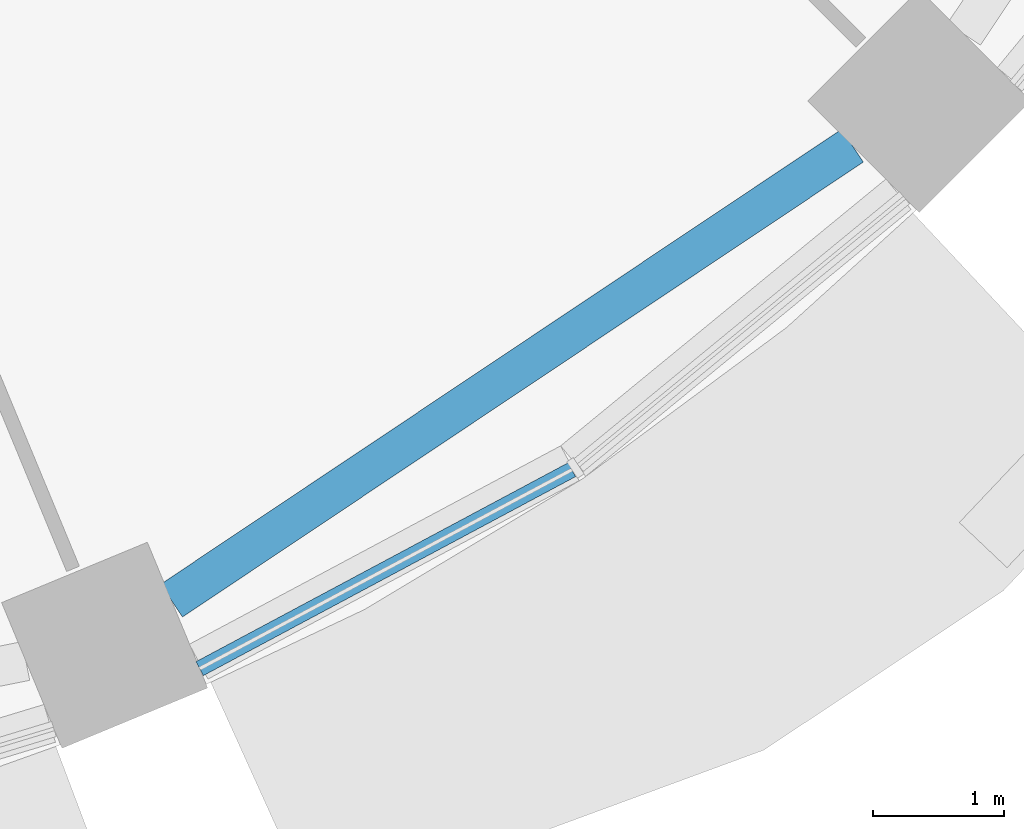
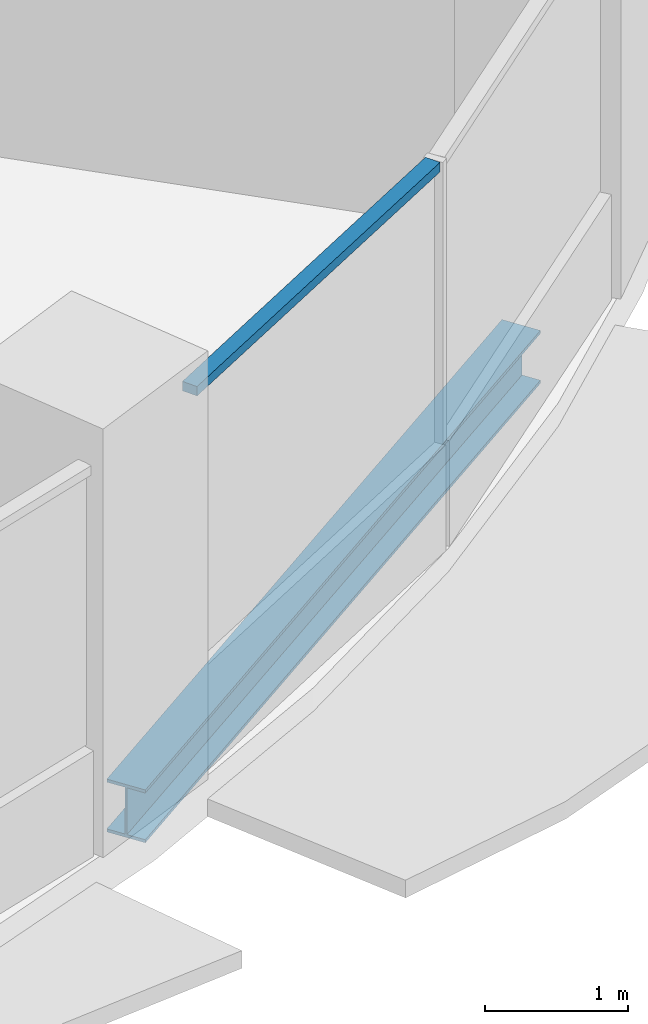
# One storey, part 3 of 15: 1 beam, 1 member, 1 element without a shape of its own.
"""IFC4 building model written with IfcOpenShell, lengths in metres."""

from ifc_helpers import new_model, si_unit, direction, frame, origin, origin_2d, place, context, subcontext, project, spatial, rectangle, i_section, extrude, material, material_profile, profile_set, type_object, element, aggregate, save


model = new_model("IFC4")

# Units and contexts
model_context = context("Model", 3, precision=1e-05, world=origin(), true_north=direction((0.0, 1.0)))
body_context = subcontext(model_context, "Body", "Model", "MODEL_VIEW")
ifc_project = project(units=[si_unit("LENGTHUNIT", "METRE"), si_unit("AREAUNIT", "SQUARE_METRE"), si_unit("VOLUMEUNIT", "CUBIC_METRE"), si_unit("PLANEANGLEUNIT", "RADIAN"), si_unit("MASSUNIT", "GRAM", prefix="KILO")], contexts=[model_context])

# Site, building, storey
site_placement = place(None, origin())
site = spatial("IfcSite", under=ifc_project, at=site_placement, CompositionType="ELEMENT")
building_placement = place(site_placement, origin())
building = spatial("IfcBuilding", under=site, at=building_placement, Name="Polderwave Tower", CompositionType="ELEMENT")
storey_placement = place(building_placement, frame((0.0, 0.0, 40.800048828125)))
storey = spatial("IfcBuildingStorey", under=building, at=storey_placement, Name="L10", CompositionType="ELEMENT", Elevation=40.800048828125)

# Curtain wall, member
ifc_material_1 = material(Name="Aluminium 6063-T6 and glass", Category="aluminium")
curtain_wall_type = type_object("IfcCurtainWallType", Name="Growing floor ribbon glazing wall", PredefinedType="NOTDEFINED", material=ifc_material_1)
curtain_wall_placement = place(storey_placement, origin())
curtain_wall = element("IfcCurtainWall", 1, at=curtain_wall_placement, inside=storey, type_object=curtain_wall_type, Name="CW2 L10 13", PredefinedType="NOTDEFINED")
ifc_material_2 = material(Name="Aluminium 6063-T6", Category="aluminium")
ifc_material_profile_1 = material_profile(ifc_material_2, rectangle(XDim=0.1201171875, YDim=0.080078125, at=origin_2d()), Name="AL 80x120")
ifc_profile_set_1 = profile_set([ifc_material_profile_1], Name="Aluminium 6063-T6")
member_type = type_object("IfcMemberType", Name="Growing floor ribbon glazing transom 80x120", PredefinedType="USERDEFINED", material=ifc_profile_set_1)
member_placement = place(storey_placement, frame((8.035888671875, -17.8330078125, 3.260009765625), z_axis=(0.881933848072, 0.471373193578, 0.0), x_axis=(-0.471373193578, 0.881933848072, 0.0)))
member = element("IfcMember", 2, at=member_placement, type_object=member_type, Name="CW2 transom 1", ObjectType="TRANSOM", PredefinedType="USERDEFINED", context=body_context, shape_type="SweptSolid", body=[
    extrude(rectangle(XDim=0.1201171875, YDim=0.080078125, at=origin_2d()), origin(), (0.0, 0.0, 1.0), 3.211669921875),
])
aggregate(curtain_wall, [member])

# Beam
ifc_material_3 = material(Name="Steel S355", Category="steel")
ifc_material_profile_2 = material_profile(ifc_material_3, i_section(OverallWidth=0.300048828125, OverallDepth=0.449951171875, WebThickness=0.013916015625, FlangeThickness=0.02587890625, at=origin_2d()), Name="HE 450 B")
ifc_profile_set_2 = profile_set([ifc_material_profile_2], Name="Steel S355")
beam_type = type_object("IfcBeamType", Name="RING BEAM HE 450 B", PredefinedType="BEAM", material=ifc_profile_set_2)
beam_placement = place(storey_placement, frame((7.82177734375, -17.3154296875, -0.574951171875), z_axis=(0.831477355721, 0.555558644, 0.0), x_axis=(-0.555558644, 0.831477355721, 0.0)))
element("IfcBeam", 3, at=beam_placement, inside=storey, type_object=beam_type, Name="ST-RB-L10-13", PredefinedType="BEAM", context=body_context, shape_type="SweptSolid", body=[
    extrude(i_section(OverallWidth=0.300048828125, OverallDepth=0.449951171875, WebThickness=0.013916015625, FlangeThickness=0.02587890625, at=origin_2d()), origin(), (0.0, 0.0, 1.0), 6.232666015625),
])

save(model, "model.ifc")
